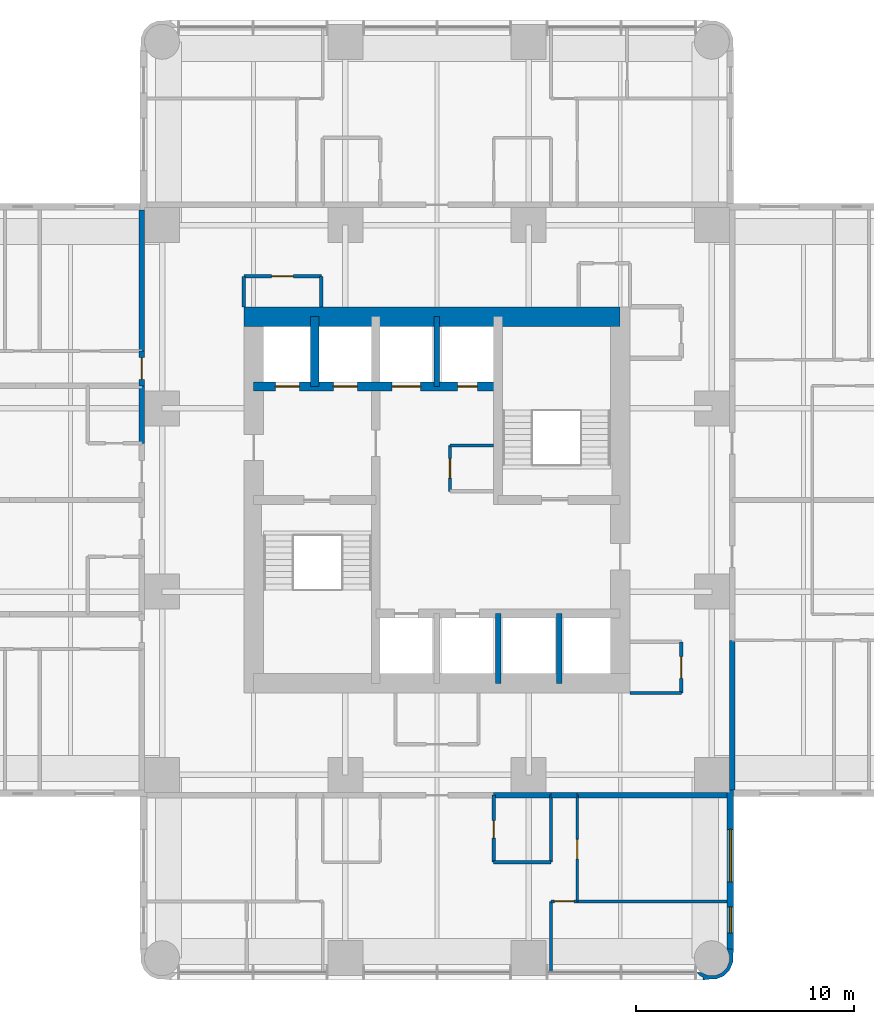
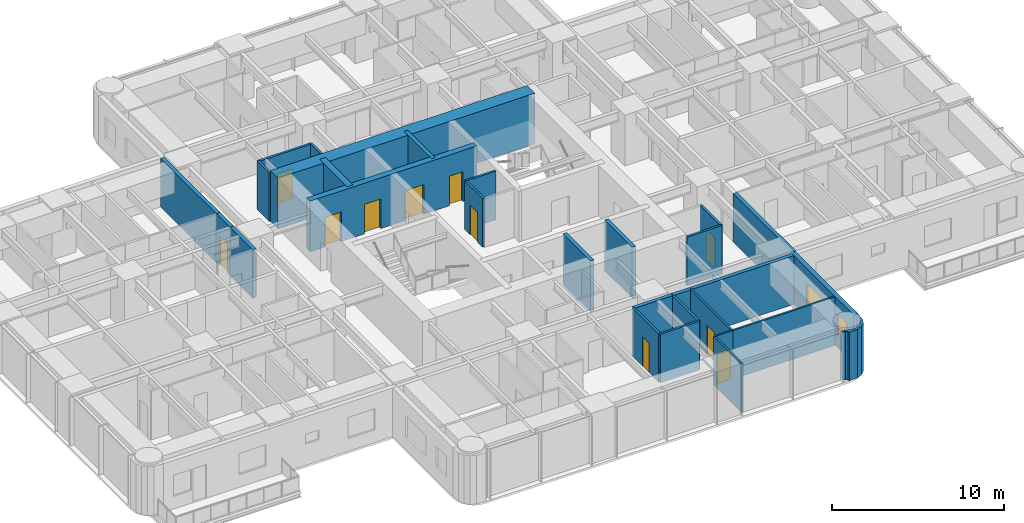
# One storey, part 8 of 14: 29 walls, 11 doors, 2 windows, 13 openings.
"""IFC4 building model written with IfcOpenShell, lengths in metres."""

from ifc_helpers import new_model, si_unit, direction, frame, frame_2d, origin, place, context, subcontext, project, spatial, polyline, rectangle, outline, extrude, material, layer, layer_set, type_object, element, fill, save


model = new_model("IFC4")

# Units and contexts
model_context = context("Model", 3, precision=1e-05, world=origin(), true_north=direction((0.0, 1.0)))
body_context = subcontext(model_context, "Body", "Model", "MODEL_VIEW")
ifc_project = project(units=[si_unit("LENGTHUNIT", "METRE"), si_unit("AREAUNIT", "SQUARE_METRE"), si_unit("VOLUMEUNIT", "CUBIC_METRE"), si_unit("PLANEANGLEUNIT", "RADIAN"), si_unit("MASSUNIT", "GRAM", prefix="KILO")], contexts=[model_context])

# Site, building, storey
site_placement = place(None, origin())
site = spatial("IfcSite", under=ifc_project, at=site_placement, CompositionType="ELEMENT")
building_placement = place(site_placement, origin())
building = spatial("IfcBuilding", under=site, at=building_placement, Name="Torre Alcanfor", CompositionType="ELEMENT")
storey_placement = place(building_placement, frame((0.0, 0.0, 137.699951171875)))
storey = spatial("IfcBuildingStorey", under=building, at=storey_placement, Name="L35", CompositionType="ELEMENT", Elevation=137.699951171875)

# Walls
ifc_material_1 = material(Name="Concrete block masonry, hollow blocks NMX-C-404 9 MPa", Category="masonry")
ifc_layer_1 = layer(ifc_material_1, 0.25)
ifc_layer_set_1 = layer_set([ifc_layer_1], Name="Apartment entrance wall 250 EI 60")
wall_type_1 = type_object("IfcWallType", Name="Apartment entrance wall 250 EI 60", PredefinedType="PARTITIONING", material=ifc_layer_set_1)
wall_1_placement = place(storey_placement, frame((42.925048828125, 22.970947265625, 0.0), z_axis=(0.0, 0.0, 1.0), x_axis=(0.0, -1.0, 0.0)))
element("IfcWall", 1, at=wall_1_placement, inside=storey, type_object=wall_type_1, Name="Partition L35-CORR / L35-E2-BED2", PredefinedType="PARTITIONING", context=body_context, shape_type="SweptSolid", body=[
    extrude(rectangle(XDim=6.870849609375, YDim=0.25, at=frame_2d((3.435546875, 0.0))), origin(), (0.0, 0.0, 1.0), 3.449951171875),
])
wall_2_placement = place(storey_placement, frame((34.62890625, 15.875, 0.0), z_axis=(0.0, 0.0, 1.0), x_axis=(-1.0, 0.0, 0.0)))
element("IfcWall", 2, at=wall_2_placement, inside=storey, type_object=wall_type_1, Name="Partition L35-CORR / L35-SX-BATH2", PredefinedType="PARTITIONING", context=body_context, shape_type="SweptSolid", body=[
    extrude(rectangle(XDim=2.62890625, YDim=0.25, at=frame_2d((1.314453125, 0.0))), origin(), (0.0, 0.0, 1.0), 3.449951171875),
])
wall_3_placement = place(storey_placement, frame((35.8291015625, 15.875, 0.0), z_axis=(0.0, 0.0, 1.0), x_axis=(-1.0, 0.0, 0.0)))
element("IfcWall", 3, at=wall_3_placement, inside=storey, type_object=wall_type_1, Name="Partition L35-CORR / L35-SX-LIVING", PredefinedType="PARTITIONING", context=body_context, shape_type="SweptSolid", body=[
    extrude(rectangle(XDim=1.2001953125, YDim=0.25, at=frame_2d((0.60009765625, 0.0))), origin(), (0.0, 0.0, 1.0), 3.449951171875),
])
wall_4_placement = place(storey_placement, frame((42.699951171875, 15.875, 0.0), z_axis=(0.0, 0.0, 1.0), x_axis=(-1.0, 0.0, 0.0)))
element("IfcWall", 4, at=wall_4_placement, inside=storey, type_object=wall_type_1, Name="Partition L35-CORR / L35-SX-BED2", PredefinedType="PARTITIONING", context=body_context, shape_type="SweptSolid", body=[
    extrude(rectangle(XDim=6.870849609375, YDim=0.25, at=frame_2d((3.435546875, 0.0))), origin(), (0.0, 0.0, 1.0), 3.449951171875),
])
wall_5_placement = place(storey_placement, frame((15.875, 32.0, 0.0), z_axis=(0.0, 0.0, 1.0), x_axis=(0.0, 1.0, 0.0)))
element("IfcWall", 5, at=wall_5_placement, inside=storey, type_object=wall_type_1, Name="Partition L35-CORR / L35-W2A-BATH", PredefinedType="PARTITIONING", context=body_context, shape_type="SweptSolid", body=[
    extrude(rectangle(XDim=2.62890625, YDim=0.25, at=frame_2d((1.314453125, 0.0))), origin(), (0.0, 0.0, 1.0), 3.449951171875),
])

# Wall, opening, door
wall_6_placement = place(storey_placement, frame((15.875, 34.62890625, 0.0), z_axis=(0.0, 0.0, 1.0), x_axis=(0.0, 1.0, 0.0)))
wall_6 = element("IfcWall", 6, at=wall_6_placement, inside=storey, type_object=wall_type_1, Name="Partition L35-CORR / L35-W2B-HALL", PredefinedType="PARTITIONING", context=body_context, shape_type="SweptSolid", body=[
    extrude(rectangle(XDim=1.60009765625, YDim=0.25, at=frame_2d((0.800048828125, 0.0))), origin(), (0.0, 0.0, 1.0), 3.449951171875),
])
opening_1_placement = place(wall_6_placement, frame((0.300048828125, 0.0, 0.0)))
opening_1 = element("IfcOpeningElement", 7, at=opening_1_placement, cuts=wall_6, Name="Opening D-A1", PredefinedType="OPENING", context=body_context, shape_type="SweptSolid", body=[
    extrude(rectangle(XDim=1.0, YDim=2.10009765625, at=frame_2d((0.5, 1.050048828125))), frame((0.0, 0.135009765625, 0.0), z_axis=(0.0, -1.0, 0.0), x_axis=(1.0, 0.0, 0.0)), (0.0, 0.0, 1.0), 0.27001953125),
])
ifc_material_2 = material(Name="Galvanised steel sheet ASTM A653", Category="steel")
door_type_1 = type_object("IfcDoorType", Name="Apartment entrance door FD60 1000x2100", OperationType="SINGLE_SWING_LEFT", PredefinedType="DOOR", material=ifc_material_2)
door_1_placement = place(opening_1_placement, origin())
door_1 = element("IfcDoor", 8, at=door_1_placement, inside=storey, type_object=door_type_1, Name="Apartment entrance L35-W2B", OperationType="SINGLE_SWING_LEFT", OverallHeight=2.10009765625, OverallWidth=1.0, PredefinedType="DOOR", context=body_context, shape_type="SweptSolid", body=[
    extrude(rectangle(XDim=1.0, YDim=2.10009765625, at=frame_2d((0.5, 1.050048828125))), frame((0.0, 0.02490234375, 0.0), z_axis=(0.0, -1.0, 0.0), x_axis=(1.0, 0.0, 0.0)), (0.0, 0.0, 1.0), 0.050048828125),
])
fill(opening_1, door_1)

# Wall
wall_7_placement = place(storey_placement, frame((15.875, 36.22900390625, 0.0), z_axis=(0.0, 0.0, 1.0), x_axis=(0.0, 1.0, 0.0)))
element("IfcWall", 9, at=wall_7_placement, inside=storey, type_object=wall_type_1, Name="Partition L35-CORR / L35-W2B-MASTER", PredefinedType="PARTITIONING", context=body_context, shape_type="SweptSolid", body=[
    extrude(rectangle(XDim=6.470947265625, YDim=0.25, at=frame_2d((3.2353515625, 0.0))), origin(), (0.0, 0.0, 1.0), 3.449951171875),
])

# Wall, opening, door
ifc_material_3 = material(Name="Gypsum board on steel studs", Category="steel")
ifc_layer_2 = layer(ifc_material_3, 0.1201171875)
ifc_layer_set_2 = layer_set([ifc_layer_2], Name="Apartment partition 120")
wall_type_2 = type_object("IfcWallType", Name="Apartment partition 120", PredefinedType="PARTITIONING", material=ifc_layer_set_2)
wall_8_placement = place(storey_placement, frame((35.8291015625, 15.875, 0.0), z_axis=(0.0, 0.0, 1.0), x_axis=(0.0, -1.0, 0.0)))
wall_8 = element("IfcWall", 10, at=wall_8_placement, inside=storey, type_object=wall_type_2, Name="Partition L35-SX-LIVING / L35-SX-BED2", PredefinedType="PARTITIONING", context=body_context, shape_type="SweptSolid", body=[
    extrude(rectangle(XDim=4.875, YDim=0.1201171875, at=frame_2d((2.4375, 0.0))), origin(), (0.0, 0.0, 1.0), 3.449951171875),
])
opening_2_placement = place(wall_8_placement, frame((2.02490234375, 0.0, 0.0)))
opening_2 = element("IfcOpeningElement", 11, at=opening_2_placement, cuts=wall_8, Name="Opening D-R1", PredefinedType="OPENING", context=body_context, shape_type="SweptSolid", body=[
    extrude(rectangle(XDim=0.89990234375, YDim=2.10009765625, at=frame_2d((0.449951171875, 1.050048828125))), frame((0.0, 0.070068359375, 0.0), z_axis=(0.0, -1.0, 0.0), x_axis=(1.0, 0.0, 0.0)), (0.0, 0.0, 1.0), 0.14013671875),
])
ifc_material_4 = material(Name="Timber", Category="wood")
door_type_2 = type_object("IfcDoorType", Name="Internal door 900x2100", OperationType="SINGLE_SWING_LEFT", PredefinedType="DOOR", material=ifc_material_4)
door_2_placement = place(opening_2_placement, origin())
door_2 = element("IfcDoor", 12, at=door_2_placement, inside=storey, type_object=door_type_2, Name="Door L35-SX bed2", OperationType="SINGLE_SWING_RIGHT", OverallHeight=2.10009765625, OverallWidth=0.89990234375, PredefinedType="DOOR", context=body_context, shape_type="SweptSolid", body=[
    extrude(rectangle(XDim=0.89990234375, YDim=2.10009765625, at=frame_2d((0.449951171875, 1.050048828125))), frame((0.0, 0.02490234375, 0.0), z_axis=(0.0, -1.0, 0.0), x_axis=(1.0, 0.0, 0.0)), (0.0, 0.0, 1.0), 0.050048828125),
])
fill(opening_2, door_2)

wall_9_placement = place(storey_placement, frame((35.8291015625, 11.0, 0.0), z_axis=(0.0, 0.0, 1.0), x_axis=(-1.0, 0.0, 0.0)))
wall_9 = element("IfcWall", 13, at=wall_9_placement, inside=storey, type_object=wall_type_2, Name="Partition L35-SX-LIVING / L35-SX-MASTER", PredefinedType="PARTITIONING", context=body_context, shape_type="SweptSolid", body=[
    extrude(rectangle(XDim=1.2001953125, YDim=0.1201171875, at=frame_2d((0.60009765625, 0.0))), origin(), (0.0, 0.0, 1.0), 3.449951171875),
])
opening_3_placement = place(wall_9_placement, frame((0.14892578125, 0.0, 0.0)))
opening_3 = element("IfcOpeningElement", 14, at=opening_3_placement, cuts=wall_9, Name="Opening D-R1", PredefinedType="OPENING", context=body_context, shape_type="SweptSolid", body=[
    extrude(rectangle(XDim=0.89990234375, YDim=2.10009765625, at=frame_2d((0.449951171875, 1.050048828125))), frame((0.0, 0.070068359375, 0.0), z_axis=(0.0, -1.0, 0.0), x_axis=(1.0, 0.0, 0.0)), (0.0, 0.0, 1.0), 0.14013671875),
])
door_3_placement = place(opening_3_placement, origin())
door_3 = element("IfcDoor", 15, at=door_3_placement, inside=storey, type_object=door_type_2, Name="Door L35-SX master", OperationType="SINGLE_SWING_RIGHT", OverallHeight=2.10009765625, OverallWidth=0.89990234375, PredefinedType="DOOR", context=body_context, shape_type="SweptSolid", body=[
    extrude(rectangle(XDim=0.89990234375, YDim=2.10009765625, at=frame_2d((0.449951171875, 1.050048828125))), frame((0.0, 0.02490234375, 0.0), z_axis=(0.0, -1.0, 0.0), x_axis=(1.0, 0.0, 0.0)), (0.0, 0.0, 1.0), 0.050048828125),
])
fill(opening_3, door_3)

# Walls
wall_10_placement = place(storey_placement, frame((34.62890625, 11.0, 0.0), z_axis=(0.0, 0.0, 1.0), x_axis=(0.0, -1.0, 0.0)))
element("IfcWall", 16, at=wall_10_placement, inside=storey, type_object=wall_type_2, Name="Partition L35-SX-LIVING / L35-SX-MASTER", PredefinedType="PARTITIONING", context=body_context, shape_type="SweptSolid", body=[
    extrude(rectangle(XDim=3.25, YDim=0.1201171875, at=frame_2d((1.625, 0.0))), origin(), (0.0, 0.0, 1.0), 3.449951171875),
])
wall_11_placement = place(storey_placement, frame((35.8291015625, 11.0, 0.0), z_axis=(0.0, 0.0, 1.0), x_axis=(1.0, 0.0, 0.0)))
element("IfcWall", 17, at=wall_11_placement, inside=storey, type_object=wall_type_2, Name="Partition L35-SX-BED2 / L35-SX-MASTER", PredefinedType="PARTITIONING", context=body_context, shape_type="SweptSolid", body=[
    extrude(rectangle(XDim=6.870849609375, YDim=0.1201171875, at=frame_2d((3.435546875, 0.0))), origin(), (0.0, 0.0, 1.0), 3.449951171875),
])

# Wall, openings, doors
ifc_material_5 = material(Name="Concrete f'c 70 MPa", Category="concrete")
ifc_layer_3 = layer(ifc_material_5, 0.39990234375)
ifc_layer_set_3 = layer_set([ifc_layer_3], Name="Core inner wall 400 f'c70")
wall_type_3 = type_object("IfcWallType", Name="Core inner wall 400 f'c70", PredefinedType="SHEAR", material=ifc_layer_set_3)
wall_12_placement = place(storey_placement, frame((21.0, 34.60009765625, 0.0), z_axis=(0.0, 0.0, 1.0), x_axis=(1.0, 0.0, 0.0)))
wall_12 = element("IfcWall", 18, at=wall_12_placement, inside=storey, type_object=wall_type_3, Name="Core wall Y346 L35", PredefinedType="SHEAR", context=body_context, shape_type="SweptSolid", body=[
    extrude(rectangle(XDim=11.199951171875, YDim=0.39990234375, at=frame_2d((5.60009765625, 0.0))), origin(), (0.0, 0.0, 1.0), 3.60009765625),
])
opening_4_placement = place(wall_12_placement, frame((9.35009765625, 0.0, 0.0)))
opening_4 = element("IfcOpeningElement", 19, at=opening_4_placement, cuts=wall_12, Name="Opening D-Q1", PredefinedType="OPENING", context=body_context, shape_type="SweptSolid", body=[
    extrude(rectangle(XDim=0.89990234375, YDim=2.10009765625, at=frame_2d((0.449951171875, 1.050048828125))), frame((0.0, 0.2099609375, 0.0), z_axis=(0.0, -1.0, 0.0), x_axis=(1.0, 0.0, 0.0)), (0.0, 0.0, 1.0), 0.419921875),
])
opening_5_placement = place(wall_12_placement, frame((1.0, 0.0, 0.0)))
opening_5 = element("IfcOpeningElement", 20, at=opening_5_placement, cuts=wall_12, Name="Opening LD2", PredefinedType="OPENING", context=body_context, shape_type="SweptSolid", body=[
    extrude(rectangle(XDim=1.10009765625, YDim=2.10009765625, at=frame_2d((0.550048828125, 1.050048828125))), frame((0.0, 0.2099609375, 0.0), z_axis=(0.0, -1.0, 0.0), x_axis=(1.0, 0.0, 0.0)), (0.0, 0.0, 1.0), 0.419921875),
])
opening_6_placement = place(wall_12_placement, frame((3.64990234375, 0.0, 0.0)))
opening_6 = element("IfcOpeningElement", 21, at=opening_6_placement, cuts=wall_12, Name="Opening LD2", PredefinedType="OPENING", context=body_context, shape_type="SweptSolid", body=[
    extrude(rectangle(XDim=1.10009765625, YDim=2.10009765625, at=frame_2d((0.550048828125, 1.050048828125))), frame((0.0, 0.2099609375, 0.0), z_axis=(0.0, -1.0, 0.0), x_axis=(1.0, 0.0, 0.0)), (0.0, 0.0, 1.0), 0.419921875),
])
opening_7_placement = place(wall_12_placement, frame((6.35009765625, 0.0, 0.0)))
opening_7 = element("IfcOpeningElement", 22, at=opening_7_placement, cuts=wall_12, Name="Opening LD3", PredefinedType="OPENING", context=body_context, shape_type="SweptSolid", body=[
    extrude(rectangle(XDim=1.300048828125, YDim=2.10009765625, at=frame_2d((0.64990234375, 1.050048828125))), frame((0.0, 0.2099609375, 0.0), z_axis=(0.0, -1.0, 0.0), x_axis=(1.0, 0.0, 0.0)), (0.0, 0.0, 1.0), 0.419921875),
])
ifc_material_6 = material(Name="Galvanised steel sheet ASTM A653", Category="steel")
door_type_3 = type_object("IfcDoorType", Name="Firefighting lift landing door 1100x2100", OperationType="DOUBLE_DOOR_SLIDING", PredefinedType="DOOR", material=ifc_material_6)
door_4_placement = place(opening_5_placement, origin())
door_4 = element("IfcDoor", 23, at=door_4_placement, inside=storey, type_object=door_type_3, Name="Lift landing door FL1 L35", OperationType="DOUBLE_DOOR_SLIDING", OverallHeight=2.10009765625, OverallWidth=1.10009765625, PredefinedType="DOOR", context=body_context, shape_type="SweptSolid", body=[
    extrude(rectangle(XDim=1.10009765625, YDim=2.10009765625, at=frame_2d((0.550048828125, 1.050048828125))), frame((0.0, 0.02490234375, 0.0), z_axis=(0.0, -1.0, 0.0), x_axis=(1.0, 0.0, 0.0)), (0.0, 0.0, 1.0), 0.050048828125),
])
fill(opening_5, door_4)
door_5_placement = place(opening_6_placement, origin())
door_5 = element("IfcDoor", 24, at=door_5_placement, inside=storey, type_object=door_type_3, Name="Lift landing door FL2 L35", OperationType="DOUBLE_DOOR_SLIDING", OverallHeight=2.10009765625, OverallWidth=1.10009765625, PredefinedType="DOOR", context=body_context, shape_type="SweptSolid", body=[
    extrude(rectangle(XDim=1.10009765625, YDim=2.10009765625, at=frame_2d((0.550048828125, 1.050048828125))), frame((0.0, 0.02490234375, 0.0), z_axis=(0.0, -1.0, 0.0), x_axis=(1.0, 0.0, 0.0)), (0.0, 0.0, 1.0), 0.050048828125),
])
fill(opening_6, door_5)
ifc_material_7 = material(Name="Galvanised steel sheet ASTM A653", Category="steel")
door_type_4 = type_object("IfcDoorType", Name="Riser access door FD120 900x2100", OperationType="SINGLE_SWING_LEFT", PredefinedType="DOOR", material=ifc_material_7)
door_6_placement = place(opening_4_placement, origin())
door_6 = element("IfcDoor", 25, at=door_6_placement, inside=storey, type_object=door_type_4, Name="Riser door L35", OperationType="SINGLE_SWING_LEFT", OverallHeight=2.10009765625, OverallWidth=0.89990234375, PredefinedType="DOOR", context=body_context, shape_type="SweptSolid", body=[
    extrude(rectangle(XDim=0.89990234375, YDim=2.10009765625, at=frame_2d((0.449951171875, 1.050048828125))), frame((0.0, 0.02490234375, 0.0), z_axis=(0.0, -1.0, 0.0), x_axis=(1.0, 0.0, 0.0)), (0.0, 0.0, 1.0), 0.050048828125),
])
fill(opening_4, door_6)
ifc_material_8 = material(Name="Galvanised steel sheet ASTM A653", Category="steel")
door_type_5 = type_object("IfcDoorType", Name="Service lift landing door 1300x2100", OperationType="DOUBLE_DOOR_SLIDING", PredefinedType="DOOR", material=ifc_material_8)
door_7_placement = place(opening_7_placement, origin())
door_7 = element("IfcDoor", 26, at=door_7_placement, inside=storey, type_object=door_type_5, Name="Lift landing door SL1 L35", OperationType="DOUBLE_DOOR_SLIDING", OverallHeight=2.10009765625, OverallWidth=1.300048828125, PredefinedType="DOOR", context=body_context, shape_type="SweptSolid", body=[
    extrude(rectangle(XDim=1.300048828125, YDim=2.10009765625, at=frame_2d((0.64990234375, 1.050048828125))), frame((0.0, 0.02490234375, 0.0), z_axis=(0.0, -1.0, 0.0), x_axis=(1.0, 0.0, 0.0)), (0.0, 0.0, 1.0), 0.050048828125),
])
fill(opening_7, door_7)

# Walls
wall_13_placement = place(storey_placement, frame((23.800048828125, 34.60009765625, 0.0), z_axis=(0.0, 0.0, 1.0), x_axis=(0.0, 1.0, 0.0)))
element("IfcWall", 27, at=wall_13_placement, inside=storey, type_object=wall_type_3, Name="Core wall X238 L35", PredefinedType="SHEAR", context=body_context, shape_type="SweptSolid", body=[
    extrude(rectangle(XDim=3.199951171875, YDim=0.39990234375, at=frame_2d((1.60009765625, 0.0))), origin(), (0.0, 0.0, 1.0), 3.60009765625),
])
ifc_material_9 = material(Name="Concrete f'c 70 MPa", Category="concrete")
ifc_layer_4 = layer(ifc_material_9, 0.25)
ifc_layer_set_4 = layer_set([ifc_layer_4], Name="Core shaft wall 250 f'c70")
wall_type_4 = type_object("IfcWallType", Name="Core shaft wall 250 f'c70", PredefinedType="SHEAR", material=ifc_layer_set_4)
for number, where, z_axis, x_axis, name in (
    (28, (32.199951171875, 21.0, 0.0), (0.0, 0.0, 1.0), (0.0, 1.0, 0.0), "Core wall X322S L35"),
    (29, (35.0, 21.0, 0.0), (0.0, 0.0, 1.0), (0.0, 1.0, 0.0), "Core wall X350S L35"),
    (30, (29.39990234375, 34.60009765625, 0.0), (0.0, 0.0, 1.0), (0.0, 1.0, 0.0), "Core wall X294N L35"),
):
    element("IfcWall", number, at=place(storey_placement, frame(where, z_axis=z_axis, x_axis=x_axis)), inside=storey, type_object=wall_type_4, Name=name, PredefinedType="SHEAR", context=body_context, shape_type="SweptSolid", body=[
        extrude(rectangle(XDim=3.199951171875, YDim=0.25, at=frame_2d((1.60009765625, 0.0))), origin(), (0.0, 0.0, 1.0), 3.60009765625),
    ])
ifc_material_10 = material(Name="Concrete f'c 70 MPa", Category="concrete")
ifc_layer_5 = layer(ifc_material_10, 0.89990234375)
ifc_layer_set_5 = layer_set([ifc_layer_5], Name="Core wall 900 f'c70")
wall_type_5 = type_object("IfcWallType", Name="Core wall 900 f'c70", PredefinedType="SHEAR", material=ifc_layer_set_5)
wall_14_placement = place(storey_placement, frame((37.800048828125, 37.800048828125, 0.0), z_axis=(0.0, 0.0, 1.0), x_axis=(-1.0, 0.0, 0.0)))
element("IfcWall", 31, at=wall_14_placement, inside=storey, type_object=wall_type_5, Name="Core wall OUT-N L35", PredefinedType="SHEAR", context=body_context, shape_type="SweptSolid", body=[
    extrude(rectangle(XDim=17.25, YDim=0.89990234375, at=frame_2d((8.625, 0.0))), origin(), (0.0, 0.0, 1.0), 3.60009765625),
])

# Wall, openings, windows
ifc_material_11 = material(Name="Limestone cladding", Category="masonry")
ifc_layer_6 = layer(ifc_material_11, 0.0400390625, Name="Facing")
ifc_material_12 = material(Name="Ventilated air cavity")
ifc_layer_7 = layer(ifc_material_12, 0.02001953125, ventilated=True, Name="Ventilated joint")
ifc_material_13 = material(Name="Mineral wool insulation", Category="insulation")
ifc_layer_8 = layer(ifc_material_13, 0.10009765625, Name="Insulation")
ifc_material_14 = material(Name="Concrete f'c 35 MPa", Category="concrete")
ifc_layer_9 = layer(ifc_material_14, 0.139892578125, Name="Backing")
ifc_layer_set_6 = layer_set([ifc_layer_6, ifc_layer_7, ifc_layer_8, ifc_layer_9], Name="External wall stone-clad 300")
wall_type_6 = type_object("IfcWallType", Name="External wall stone-clad 300", PredefinedType="SOLIDWALL", material=ifc_layer_set_6)
wall_15_placement = place(storey_placement, frame((42.85009765625, 8.800048828125, 0.0), z_axis=(0.0, 0.0, 1.0), x_axis=(0.0, 1.0, 0.0)))
wall_15 = element("IfcWall", 32, at=wall_15_placement, inside=storey, type_object=wall_type_6, Name="External wall L35 6", PredefinedType="SOLIDWALL", context=body_context, shape_type="SweptSolid", body=[
    extrude(rectangle(XDim=7.300048828125, YDim=0.300048828125, at=frame_2d((3.64990234375, 0.0))), origin(), (0.0, 0.0, 1.0), 3.449951171875),
])
opening_8_placement = place(wall_15_placement, frame((3.10009765625, 0.0, 0.89990234375)))
opening_8 = element("IfcOpeningElement", 33, at=opening_8_placement, cuts=wall_15, Name="Opening W1", PredefinedType="OPENING", context=body_context, shape_type="SweptSolid", body=[
    extrude(rectangle(XDim=2.39990234375, YDim=1.5, at=frame_2d((1.199951171875, 0.75))), frame((0.0, 0.159912109375, 0.0), z_axis=(0.0, -1.0, 0.0), x_axis=(1.0, 0.0, 0.0)), (0.0, 0.0, 1.0), 0.320068359375),
])
opening_9_placement = place(wall_15_placement, frame((0.75, 0.0, 0.89990234375)))
opening_9 = element("IfcOpeningElement", 34, at=opening_9_placement, cuts=wall_15, Name="Opening W4", PredefinedType="OPENING", context=body_context, shape_type="SweptSolid", body=[
    extrude(rectangle(XDim=1.199951171875, YDim=1.5, at=frame_2d((0.60009765625, 0.75))), frame((0.0, 0.159912109375, 0.0), z_axis=(0.0, -1.0, 0.0), x_axis=(1.0, 0.0, 0.0)), (0.0, 0.0, 1.0), 0.320068359375),
])
ifc_material_15 = material(Name="Aluminium frame with clear double glazing", Category="aluminium")
window_type_1 = type_object("IfcWindowType", Name="Window bedroom 1200x1500", PartitioningType="SINGLE_PANEL", PredefinedType="WINDOW", material=ifc_material_15)
window_1_placement = place(opening_9_placement, origin())
window_1 = element("IfcWindow", 35, at=window_1_placement, inside=storey, type_object=window_type_1, Name="Window W4 L35-S1", OverallHeight=1.5, OverallWidth=1.199951171875, PartitioningType="SINGLE_PANEL", PredefinedType="WINDOW", context=body_context, shape_type="SweptSolid", body=[
    extrude(rectangle(XDim=1.199951171875, YDim=1.5, at=frame_2d((0.60009765625, 0.75))), frame((0.0, 0.030029296875, 0.0), z_axis=(0.0, -1.0, 0.0), x_axis=(1.0, 0.0, 0.0)), (0.0, 0.0, 1.0), 0.06005859375),
])
fill(opening_9, window_1)
ifc_material_16 = material(Name="Aluminium frame with clear double glazing", Category="aluminium")
window_type_2 = type_object("IfcWindowType", Name="Window bedroom 2400x1500", PartitioningType="SINGLE_PANEL", PredefinedType="WINDOW", material=ifc_material_16)
window_2_placement = place(opening_8_placement, origin())
window_2 = element("IfcWindow", 36, at=window_2_placement, inside=storey, type_object=window_type_2, Name="Window W1 L35-S1", OverallHeight=1.5, OverallWidth=2.39990234375, PartitioningType="SINGLE_PANEL", PredefinedType="WINDOW", context=body_context, shape_type="SweptSolid", body=[
    extrude(rectangle(XDim=2.39990234375, YDim=1.5, at=frame_2d((1.199951171875, 0.75))), frame((0.0, 0.030029296875, 0.0), z_axis=(0.0, -1.0, 0.0), x_axis=(1.0, 0.0, 0.0)), (0.0, 0.0, 1.0), 0.06005859375),
])
fill(opening_8, window_2)

# Wall
ifc_material_17 = material(Name="Concrete block masonry, hollow blocks NMX-C-404 9 MPa", Category="masonry")
ifc_layer_10 = layer(ifc_material_17, 0.14990234375)
ifc_layer_set_7 = layer_set([ifc_layer_10], Name="Residents' room partition 150")
wall_type_7 = type_object("IfcWallType", Name="Residents' room partition 150", PredefinedType="PARTITIONING", material=ifc_layer_set_7)
wall_16_placement = place(storey_placement, frame((24.10009765625, 38.25, 0.0), z_axis=(0.0, 0.0, 1.0), x_axis=(0.0, 1.0, 0.0)))
element("IfcWall", 37, at=wall_16_placement, inside=storey, type_object=wall_type_7, Name="Partition L35-CORR / L35-G01", PredefinedType="PARTITIONING", context=body_context, shape_type="SweptSolid", body=[
    extrude(rectangle(XDim=1.39990234375, YDim=0.14990234375, at=frame_2d((0.699951171875, 0.0))), origin(), (0.0, 0.0, 1.0), 3.449951171875),
])

# Wall, opening, door
wall_17_placement = place(storey_placement, frame((24.10009765625, 39.64990234375, 0.0), z_axis=(0.0, 0.0, 1.0), x_axis=(-1.0, 0.0, 0.0)))
wall_17 = element("IfcWall", 38, at=wall_17_placement, inside=storey, type_object=wall_type_7, Name="Partition L35-CORR / L35-G01", PredefinedType="PARTITIONING", context=body_context, shape_type="SweptSolid", body=[
    extrude(rectangle(XDim=3.550048828125, YDim=0.14990234375, at=frame_2d((1.77490234375, 0.0))), origin(), (0.0, 0.0, 1.0), 3.449951171875),
])
opening_10_placement = place(wall_17_placement, frame((1.27490234375, 0.0, 0.0)))
opening_10 = element("IfcOpeningElement", 39, at=opening_10_placement, cuts=wall_17, Name="Opening D-M1", PredefinedType="OPENING", context=body_context, shape_type="SweptSolid", body=[
    extrude(rectangle(XDim=1.0, YDim=2.10009765625, at=frame_2d((0.5, 1.050048828125))), frame((0.0, 0.0849609375, 0.0), z_axis=(0.0, -1.0, 0.0), x_axis=(1.0, 0.0, 0.0)), (0.0, 0.0, 1.0), 0.169921875),
])
ifc_material_18 = material(Name="Timber", Category="wood")
door_type_6 = type_object("IfcDoorType", Name="Residents' room door 1000x2100", OperationType="SINGLE_SWING_LEFT", PredefinedType="DOOR", material=ifc_material_18)
door_8_placement = place(opening_10_placement, origin())
door_8 = element("IfcDoor", 40, at=door_8_placement, inside=storey, type_object=door_type_6, Name="Door L35-G01 parcel room", OperationType="SINGLE_SWING_LEFT", OverallHeight=2.10009765625, OverallWidth=1.0, PredefinedType="DOOR", context=body_context, shape_type="SweptSolid", body=[
    extrude(rectangle(XDim=1.0, YDim=2.10009765625, at=frame_2d((0.5, 1.050048828125))), frame((0.0, 0.02490234375, 0.0), z_axis=(0.0, -1.0, 0.0), x_axis=(1.0, 0.0, 0.0)), (0.0, 0.0, 1.0), 0.050048828125),
])
fill(opening_10, door_8)

# Walls
wall_18_placement = place(storey_placement, frame((20.550048828125, 39.64990234375, 0.0), z_axis=(0.0, 0.0, 1.0), x_axis=(0.0, -1.0, 0.0)))
element("IfcWall", 41, at=wall_18_placement, inside=storey, type_object=wall_type_7, Name="Partition L35-CORR / L35-G01", PredefinedType="PARTITIONING", context=body_context, shape_type="SweptSolid", body=[
    extrude(rectangle(XDim=1.39990234375, YDim=0.14990234375, at=frame_2d((0.699951171875, 0.0))), origin(), (0.0, 0.0, 1.0), 3.449951171875),
])
wall_19_placement = place(storey_placement, frame((38.25, 20.550048828125, 0.0), z_axis=(0.0, 0.0, 1.0), x_axis=(1.0, 0.0, 0.0)))
element("IfcWall", 42, at=wall_19_placement, inside=storey, type_object=wall_type_7, Name="Partition L35-CORR / L35-G03", PredefinedType="PARTITIONING", context=body_context, shape_type="SweptSolid", body=[
    extrude(rectangle(XDim=2.35009765625, YDim=0.14990234375, at=frame_2d((1.175048828125, 0.0))), origin(), (0.0, 0.0, 1.0), 3.449951171875),
])

# Wall, opening, door
wall_20_placement = place(storey_placement, frame((40.60009765625, 20.550048828125, 0.0), z_axis=(0.0, 0.0, 1.0), x_axis=(0.0, 1.0, 0.0)))
wall_20 = element("IfcWall", 43, at=wall_20_placement, inside=storey, type_object=wall_type_7, Name="Partition L35-CORR / L35-G03", PredefinedType="PARTITIONING", context=body_context, shape_type="SweptSolid", body=[
    extrude(rectangle(XDim=2.349853515625, YDim=0.14990234375, at=frame_2d((1.1748046875, 0.0))), origin(), (0.0, 0.0, 1.0), 3.449951171875),
])
opening_11_placement = place(wall_20_placement, frame((0.675048828125, 0.0, 0.0)))
opening_11 = element("IfcOpeningElement", 44, at=opening_11_placement, cuts=wall_20, Name="Opening D-M1", PredefinedType="OPENING", context=body_context, shape_type="SweptSolid", body=[
    extrude(rectangle(XDim=1.0, YDim=2.10009765625, at=frame_2d((0.5, 1.050048828125))), frame((0.0, 0.0849609375, 0.0), z_axis=(0.0, -1.0, 0.0), x_axis=(1.0, 0.0, 0.0)), (0.0, 0.0, 1.0), 0.169921875),
])
door_9_placement = place(opening_11_placement, origin())
door_9 = element("IfcDoor", 45, at=door_9_placement, inside=storey, type_object=door_type_6, Name="Door L35-G03 residents' storage lockers", OperationType="SINGLE_SWING_LEFT", OverallHeight=2.10009765625, OverallWidth=1.0, PredefinedType="DOOR", context=body_context, shape_type="SweptSolid", body=[
    extrude(rectangle(XDim=1.0, YDim=2.10009765625, at=frame_2d((0.5, 1.050048828125))), frame((0.0, 0.02490234375, 0.0), z_axis=(0.0, -1.0, 0.0), x_axis=(1.0, 0.0, 0.0)), (0.0, 0.0, 1.0), 0.050048828125),
])
fill(opening_11, door_9)

# Wall
ifc_layer_11 = layer(ifc_material_11, 0.0400390625, Name="Facing")
ifc_layer_12 = layer(ifc_material_12, 0.02001953125, ventilated=True, Name="Ventilated joint")
ifc_layer_13 = layer(ifc_material_13, 0.10009765625, Name="Insulation")
ifc_layer_14 = layer(ifc_material_14, 0.139892578125, Name="Backing")
ifc_layer_set_8 = layer_set([ifc_layer_11, ifc_layer_12, ifc_layer_13, ifc_layer_14], Name="Rounded corner pier stone-clad 300")
wall_type_8 = type_object("IfcWallType", Name="Rounded corner pier stone-clad 300", PredefinedType="SOLIDWALL", material=ifc_layer_set_8)
wall_21_placement = place(storey_placement, frame((41.351928198, 7.804682488, 0.0), z_axis=(0.0, 0.0, 1.0), x_axis=(0.343276641956, -0.93923434088, 0.0)))
element("IfcWall", 46, at=wall_21_placement, inside=storey, type_object=wall_type_8, Name="Corner pier L35 16", PredefinedType="SOLIDWALL", context=body_context, shape_type="SweptSolid", body=[
    extrude(outline(polyline([(-0.3691376945080963, 1.8896116474277462), (-0.5092849006082865, 1.6213723434863179), (-0.4904818693699753, 1.614500106025285), (-0.47937395557818696, 1.6086207727425919), (-0.21134604487110653, 1.620093396259431), (0.08789731812884549, 1.5107242513003132), (0.3226193813038204, 1.29522875171589), (0.4568297522668325, 1.0059961170728082), (0.47018090116819644, 0.6876338955306306), (0.3608955639829935, 0.3886198377896824), (0.14540006439857034, 0.15389777461470747), (0.10805580570731482, 0.136354268630141), (0.030952653705484567, -0.07460656965335008), (0.24105149879401783, 0.023022242841209073), (0.33345144333490195, 0.12363819812835387), (0.46537419024986754, 0.09413770889727405), (0.5320249985235461, 0.39313792602006), (0.6305829406476248, 0.6628009106085226), (0.6143313238115743, 1.0443478664441104), (0.4534111053034037, 1.390650880852334), (0.17226586261802523, 1.6491069643028293), (-0.09739712197043726, 1.7476649064269079), (-0.3691376945080963, 1.8896116474277462)])), origin(), (0.0, 0.0, 1.0), 3.449951171875),
])

# Wall, opening, door
ifc_material_19 = material(Name="Cement board on steel studs", Category="steel")
ifc_layer_15 = layer(ifc_material_19, 0.14990234375)
ifc_layer_set_9 = layer_set([ifc_layer_15], Name="Wet area partition 150")
wall_type_9 = type_object("IfcWallType", Name="Wet area partition 150", PredefinedType="PARTITIONING", material=ifc_layer_set_9)
wall_22_placement = place(storey_placement, frame((32.0, 12.800048828125, 0.0), z_axis=(0.0, 0.0, 1.0), x_axis=(0.0, 1.0, 0.0)))
wall_22 = element("IfcWall", 47, at=wall_22_placement, inside=storey, type_object=wall_type_9, Name="Partition L35-SX-ZAG / L35-SX-BATH2", PredefinedType="PARTITIONING", context=body_context, shape_type="SweptSolid", body=[
    extrude(rectangle(XDim=3.074951171875, YDim=0.14990234375, at=frame_2d((1.53759765625, 0.0))), origin(), (0.0, 0.0, 1.0), 3.449951171875),
])
opening_12_placement = place(wall_22_placement, frame((1.10009765625, 0.0, 0.0)))
opening_12 = element("IfcOpeningElement", 48, at=opening_12_placement, cuts=wall_22, Name="Opening D-R2", PredefinedType="OPENING", context=body_context, shape_type="SweptSolid", body=[
    extrude(rectangle(XDim=0.800048828125, YDim=2.10009765625, at=frame_2d((0.39990234375, 1.050048828125))), frame((0.0, 0.0849609375, 0.0), z_axis=(0.0, -1.0, 0.0), x_axis=(1.0, 0.0, 0.0)), (0.0, 0.0, 1.0), 0.169921875),
])
ifc_material_20 = material(Name="Timber", Category="wood")
door_type_7 = type_object("IfcDoorType", Name="Bathroom door 800x2100", OperationType="SINGLE_SWING_LEFT", PredefinedType="DOOR", material=ifc_material_20)
door_10_placement = place(opening_12_placement, frame((0.800048828125, 0.0, 0.0), z_axis=(0.0, 0.0, 1.0), x_axis=(-1.0, 0.0, 0.0)))
door_10 = element("IfcDoor", 49, at=door_10_placement, inside=storey, type_object=door_type_7, Name="Door L35-SX bath2", OperationType="SINGLE_SWING_RIGHT", OverallHeight=2.10009765625, OverallWidth=0.800048828125, PredefinedType="DOOR", context=body_context, shape_type="SweptSolid", body=[
    extrude(rectangle(XDim=0.800048828125, YDim=2.10009765625, at=frame_2d((0.400146484375, 1.050048828125))), frame((0.0, 0.025146484375, 0.0), z_axis=(0.0, -1.0, 0.0), x_axis=(1.0, 0.0, 0.0)), (0.0, 0.0, 1.0), 0.050048828125),
])
fill(opening_12, door_10)

# Walls
wall_23_placement = place(storey_placement, frame((32.0, 12.800048828125, 0.0), z_axis=(0.0, 0.0, 1.0), x_axis=(1.0, 0.0, 0.0)))
element("IfcWall", 50, at=wall_23_placement, inside=storey, type_object=wall_type_9, Name="Partition L35-SX-BATH2 / L35-SX-LIVING", PredefinedType="PARTITIONING", context=body_context, shape_type="SweptSolid", body=[
    extrude(rectangle(XDim=2.62890625, YDim=0.14990234375, at=frame_2d((1.314453125, 0.0))), origin(), (0.0, 0.0, 1.0), 3.449951171875),
])
wall_24_placement = place(storey_placement, frame((34.62890625, 12.800048828125, 0.0), z_axis=(0.0, 0.0, 1.0), x_axis=(0.0, 1.0, 0.0)))
element("IfcWall", 51, at=wall_24_placement, inside=storey, type_object=wall_type_9, Name="Partition L35-SX-BATH2 / L35-SX-LIVING", PredefinedType="PARTITIONING", context=body_context, shape_type="SweptSolid", body=[
    extrude(rectangle(XDim=3.074951171875, YDim=0.14990234375, at=frame_2d((1.53759765625, 0.0))), origin(), (0.0, 0.0, 1.0), 3.449951171875),
])

# Wall, opening, door
wall_25_placement = place(storey_placement, frame((30.0, 29.800048828125, 0.0), z_axis=(0.0, 0.0, 1.0), x_axis=(0.0, 1.0, 0.0)))
wall_25 = element("IfcWall", 52, at=wall_25_placement, inside=storey, type_object=wall_type_9, Name="Partition L35-LL / L35-CR1", PredefinedType="PARTITIONING", context=body_context, shape_type="SweptSolid", body=[
    extrude(rectangle(XDim=2.099853515625, YDim=0.14990234375, at=frame_2d((1.0498046875, 0.0))), origin(), (0.0, 0.0, 1.0), 3.449951171875),
])
opening_13_placement = place(wall_25_placement, frame((0.60009765625, 0.0, 0.0)))
opening_13 = element("IfcOpeningElement", 53, at=opening_13_placement, cuts=wall_25, Name="Opening D-W1", PredefinedType="OPENING", context=body_context, shape_type="SweptSolid", body=[
    extrude(rectangle(XDim=0.89990234375, YDim=2.10009765625, at=frame_2d((0.449951171875, 1.050048828125))), frame((0.0, 0.0849609375, 0.0), z_axis=(0.0, -1.0, 0.0), x_axis=(1.0, 0.0, 0.0)), (0.0, 0.0, 1.0), 0.169921875),
])
ifc_material_21 = material(Name="Timber", Category="wood")
door_type_8 = type_object("IfcDoorType", Name="Toilet door 900x2100", OperationType="SINGLE_SWING_LEFT", PredefinedType="DOOR", material=ifc_material_21)
door_11_placement = place(opening_13_placement, frame((0.89990234375, 0.0, 0.0), z_axis=(0.0, 0.0, 1.0), x_axis=(-1.0, 0.0, 0.0)))
door_11 = element("IfcDoor", 54, at=door_11_placement, inside=storey, type_object=door_type_8, Name="Staff WC door L35", OperationType="SINGLE_SWING_RIGHT", OverallHeight=2.10009765625, OverallWidth=0.89990234375, PredefinedType="DOOR", context=body_context, shape_type="SweptSolid", body=[
    extrude(rectangle(XDim=0.89990234375, YDim=2.10009765625, at=frame_2d((0.449951171875, 1.050048828125))), frame((0.0, 0.025146484375, 0.0), z_axis=(0.0, -1.0, 0.0), x_axis=(1.0, 0.0, 0.0)), (0.0, 0.0, 1.0), 0.050048828125),
])
fill(opening_13, door_11)

# Wall
wall_26_placement = place(storey_placement, frame((30.0, 31.89990234375, 0.0), z_axis=(0.0, 0.0, 1.0), x_axis=(1.0, 0.0, 0.0)))
element("IfcWall", 55, at=wall_26_placement, inside=storey, type_object=wall_type_9, Name="Partition L35-LL / L35-CR1", PredefinedType="PARTITIONING", context=body_context, shape_type="SweptSolid", body=[
    extrude(rectangle(XDim=2.0, YDim=0.14990234375, at=frame_2d((1.0, 0.0))), origin(), (0.0, 0.0, 1.0), 3.449951171875),
])

save(model, "model.ifc")
